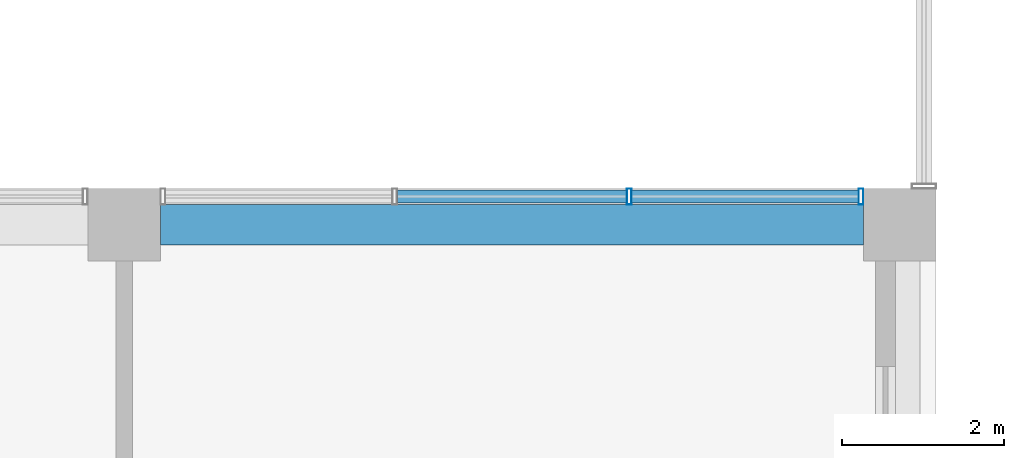
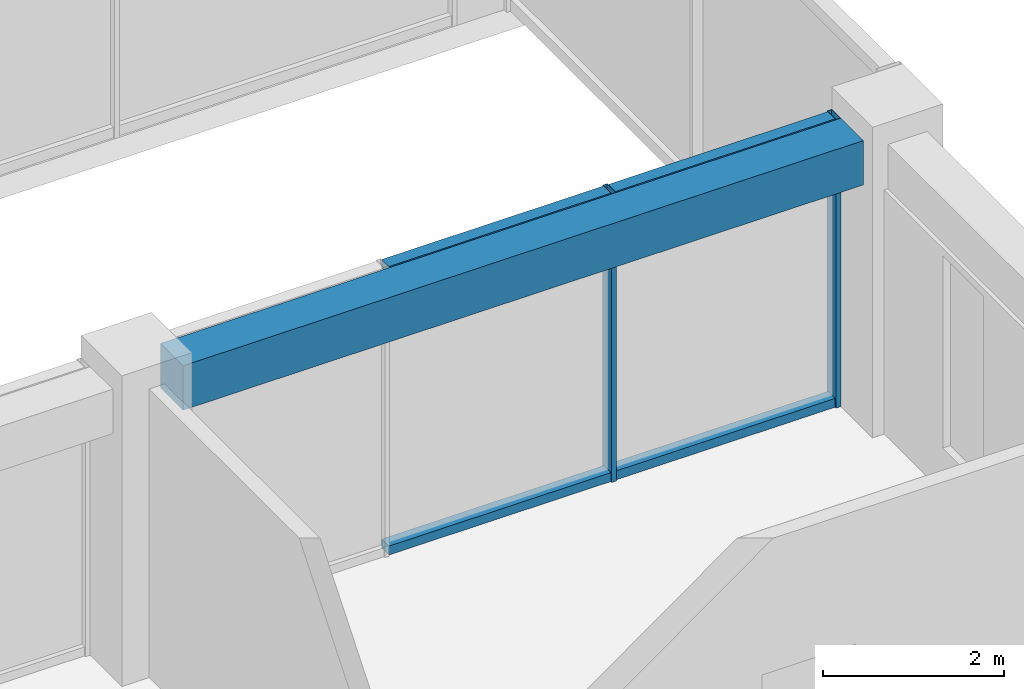
# One storey, part 17 of 37: 6 members, 1 beam, 1 element without a shape of its own.
"""IFC4 building model written with IfcOpenShell, lengths in metres."""

import ifcopenshell
import ifcopenshell.guid

model = None  # the IFC model being written
_history = None  # IfcOwnerHistory: only IFC2X3 demands one
_inside = {}  # id of a spatial element -> (the spatial element, [elements in it])
_under = {}  # id of a project, library or spatial element -> (it, [spatial elements below it])
_declared = {}  # id of a project -> (the project, [libraries it declares])
_typed = {}  # id of a type object -> (the type object, [elements of that type])
_made_of = {}  # id of a material, layer set ... -> (it, [elements and type objects made of it])


def new_model(schema):
    """Start an empty IFC model of exactly this schema.

    Asked for "IFC4X3", IfcOpenShell would pick the latest addendum, in which some entities
    have other attributes; the version numbers below select the first issue.
    IFC2X3 requires an IfcOwnerHistory on every rooted entity: one is made here for all.
    """
    global model, _history
    if schema == "IFC4X3":
        model = ifcopenshell.file(schema_version=(4, 3, 0, 0))
    else:
        model = ifcopenshell.file(schema=schema)
    _inside.clear()
    _under.clear()
    _declared.clear()
    _typed.clear()
    _made_of.clear()
    _history = None
    if model.schema == "IFC2X3":
        org = make("IfcOrganization", Name="unknown")
        user = make(
            "IfcPersonAndOrganization",
            ThePerson=make("IfcPerson", FamilyName="unknown"),
            TheOrganization=org,
        )
        app = make(
            "IfcApplication",
            ApplicationDeveloper=org,
            Version="unknown",
            ApplicationFullName="unknown",
            ApplicationIdentifier="unknown",
        )
        _history = make(
            "IfcOwnerHistory",
            OwningUser=user,
            OwningApplication=app,
            ChangeAction="ADDED",
            CreationDate=0,
        )
    return model


def make(cls, **values):
    """One entity of the class cls with the attributes given. An attribute that is None is left unset."""
    return model.create_entity(
        cls, **{name: value for name, value in values.items() if value is not None}
    )


def rooted(cls, **values):
    """An entity with a GlobalId (a new one), such as an element, a storey or a relation."""
    return make(cls, GlobalId=ifcopenshell.guid.new(), OwnerHistory=_history, **values)


def si_unit(unit_type, name, prefix=None):
    """IfcSIUnit, for example si_unit("LENGTHUNIT", "METRE", prefix="MILLI")."""
    return make("IfcSIUnit", UnitType=unit_type, Prefix=prefix, Name=name)


def assignment(units):
    """IfcUnitAssignment: the units of a project."""
    return None if units is None else make("IfcUnitAssignment", Units=units)


def point(xyz):
    """IfcCartesianPoint."""
    return None if xyz is None else make("IfcCartesianPoint", Coordinates=xyz)


def direction(xyz):
    """IfcDirection."""
    return None if xyz is None else make("IfcDirection", DirectionRatios=xyz)


def frame(location, z_axis=None, x_axis=None):
    """IfcAxis2Placement3D, a coordinate frame: its origin and axes. An axis left out is left unset."""
    return make(
        "IfcAxis2Placement3D",
        Location=point(location),
        Axis=direction(z_axis),
        RefDirection=direction(x_axis),
    )


def frame_2d(location, x_axis=None):
    """IfcAxis2Placement2D, a coordinate frame in the plane: its origin and x axis."""
    return make(
        "IfcAxis2Placement2D", Location=point(location), RefDirection=direction(x_axis)
    )


def origin():
    """The frame at (0, 0, 0) with its axes left unset."""
    return frame((0.0, 0.0, 0.0))


def origin_2d():
    """The frame at (0, 0) in the plane with its x axis left unset."""
    return frame_2d((0.0, 0.0))


def place(relative_to, where):
    """IfcLocalPlacement: puts the frame where relative to a parent placement (None: the world)."""
    return make(
        "IfcLocalPlacement", PlacementRelTo=relative_to, RelativePlacement=where
    )


def context(
    kind, dimensions, precision=None, world=None, true_north=None, identifier=None
):
    """IfcGeometricRepresentationContext, for example the 3D "Model" context."""
    return make(
        "IfcGeometricRepresentationContext",
        ContextIdentifier=identifier,
        ContextType=kind,
        CoordinateSpaceDimension=dimensions,
        Precision=precision,
        WorldCoordinateSystem=world,
        TrueNorth=true_north,
    )


def subcontext(parent, identifier, kind, view, scale=None):
    """IfcGeometricRepresentationSubContext, for example "Body" below "Model"."""
    return make(
        "IfcGeometricRepresentationSubContext",
        ContextIdentifier=identifier,
        ContextType=kind,
        ParentContext=parent,
        TargetScale=scale,
        TargetView=view,
    )


def project(units=None, contexts=None):
    """IfcProject with its units and contexts."""
    return rooted(
        "IfcProject",
        Name="project",
        RepresentationContexts=contexts,
        UnitsInContext=assignment(units),
    )


def spatial(cls, under=None, at=None, **own):
    """A site, building, storey or space (cls), placed at a placement, below another one or the project."""
    s = rooted(cls, ObjectPlacement=at, **own)
    if under is not None:
        _under.setdefault(under.id(), (under, []))[1].append(s)
    return s


def profile(cls, at=None, kind="AREA", **sizes):
    """A parametric profile (cls). Its sizes go by their IFC names, for example OverallWidth=200.0."""
    return make(cls, ProfileType=kind, Position=at, **sizes)


def rectangle(**sizes):
    """IfcRectangleProfileDef."""
    return profile("IfcRectangleProfileDef", **sizes)


def hollow_rectangle(**sizes):
    """IfcRectangleHollowProfileDef."""
    return profile("IfcRectangleHollowProfileDef", **sizes)


def extrude(swept, where, along, depth):
    """IfcExtrudedAreaSolid: the profile swept, set in the frame where, extruded along a direction by depth."""
    return make(
        "IfcExtrudedAreaSolid",
        SweptArea=swept,
        Position=where,
        ExtrudedDirection=direction(along),
        Depth=depth,
    )


def shape(context_of_items, identifier, shape_type, items):
    """IfcShapeRepresentation: the items that make up one representation, for example the "Body"."""
    return make(
        "IfcShapeRepresentation",
        ContextOfItems=context_of_items,
        RepresentationIdentifier=identifier,
        RepresentationType=shape_type,
        Items=items,
    )


def material(Name=None, Category=None):
    """IfcMaterial."""
    return make("IfcMaterial", Name=Name, Category=Category)


def layer(
    of_material, thickness, ventilated=None, Name=None, Category=None, Priority=None
):
    """IfcMaterialLayer: one layer of a wall or slab, of a material (None: an air gap)."""
    return make(
        "IfcMaterialLayer",
        Material=of_material,
        LayerThickness=thickness,
        IsVentilated=ventilated,
        Name=Name,
        Category=Category,
        Priority=Priority,
    )


def layer_set(layers, Name=None):
    """IfcMaterialLayerSet."""
    return make("IfcMaterialLayerSet", MaterialLayers=layers, LayerSetName=Name)


def material_profile(
    of_material, cross_section, Name=None, Category=None, Priority=None
):
    """IfcMaterialProfile: a cross section and its material."""
    return make(
        "IfcMaterialProfile",
        Name=Name,
        Material=of_material,
        Profile=cross_section,
        Priority=Priority,
        Category=Category,
    )


def profile_set(profiles, Name=None, composite=None):
    """IfcMaterialProfileSet."""
    return make(
        "IfcMaterialProfileSet",
        Name=Name,
        MaterialProfiles=profiles,
        CompositeProfile=composite,
    )


def made_of(thing, what):
    """Note that an element or type object is made of a material, layer set ...; save() writes the relation."""
    if what is not None:
        _made_of.setdefault(what.id(), (what, []))[1].append(thing)
    return thing


def type_object(cls, material=None, **own):
    """A type object (cls), such as IfcWallType, which elements share."""
    return made_of(rooted(cls, **own), material)


def element(
    cls,
    number,
    at=None,
    inside=None,
    cuts=None,
    type_object=None,
    material=None,
    context=None,
    identifier="Body",
    shape_type=None,
    held_by="IfcProductDefinitionShape",
    body=None,
    shapes=None,
    **own,
):
    """One element of the class cls, such as IfcWall. Its Tag is "e" and its number.

    at: its placement. inside: the storey or other place that contains it. cuts: it is an
    opening in that element (IfcRelVoidsElement). A single representation is given by context,
    identifier, shape_type and body (its items); several are given by shapes. held_by: the class
    of the entity that holds the representations. save() writes the other relations.
    """
    e = rooted(cls, Tag="e%d" % number, ObjectPlacement=at, **own)
    if body is not None:
        shapes = [shape(context, identifier, shape_type, body)]
    if shapes is not None:
        e.Representation = make(held_by, Representations=shapes)
    if inside is not None:
        _inside.setdefault(inside.id(), (inside, []))[1].append(e)
    if cuts is not None:
        rooted(
            "IfcRelVoidsElement", RelatingBuildingElement=cuts, RelatedOpeningElement=e
        )
    if type_object is not None:
        _typed.setdefault(type_object.id(), (type_object, []))[1].append(e)
    return made_of(e, material)


def aggregate(whole, parts):
    """IfcRelAggregates: a whole, such as a stair, and the parts it consists of."""
    return rooted("IfcRelAggregates", RelatingObject=whole, RelatedObjects=parts)


def save(model, path):
    """Write the relations noted so far, then the file.

    IfcRelAggregates (storeys below a building ...), IfcRelContainedInSpatialStructure (elements
    in a storey), IfcRelDefinesByType, IfcRelAssociatesMaterial and IfcRelDeclares: one each for
    every whole, place, type object, material and project.
    """
    for whole, parts in _under.values():
        aggregate(whole, parts)
    for where, things in _inside.values():
        rooted(
            "IfcRelContainedInSpatialStructure",
            RelatedElements=things,
            RelatingStructure=where,
        )
    for kind, things in _typed.values():
        rooted("IfcRelDefinesByType", RelatedObjects=things, RelatingType=kind)
    for what, things in _made_of.values():
        rooted("IfcRelAssociatesMaterial", RelatedObjects=things, RelatingMaterial=what)
    for by, libraries in _declared.values():
        rooted("IfcRelDeclares", RelatingContext=by, RelatedDefinitions=libraries)
    model.write(path)


model = new_model("IFC4")

# Units and contexts
model_context = context("Model", 3, precision=1e-05, world=origin(), true_north=direction((0.0, 1.0)))
body_context = subcontext(model_context, "Body", "Model", "MODEL_VIEW")
ifc_project = project(units=[si_unit("LENGTHUNIT", "METRE"), si_unit("AREAUNIT", "SQUARE_METRE"), si_unit("VOLUMEUNIT", "CUBIC_METRE"), si_unit("PLANEANGLEUNIT", "RADIAN"), si_unit("MASSUNIT", "GRAM", prefix="KILO")], contexts=[model_context])

# Site, building, storey
site_placement = place(None, origin())
site = spatial("IfcSite", under=ifc_project, at=site_placement, CompositionType="ELEMENT")
building_placement = place(site_placement, origin())
building = spatial("IfcBuilding", under=site, at=building_placement, Name="Nzadi Deep Aquarium and Research Tower", CompositionType="ELEMENT")
storey_placement = place(building_placement, frame((0.0, 0.0, 61.300048828125)))
storey = spatial("IfcBuildingStorey", under=building, at=storey_placement, Name="L12", CompositionType="ELEMENT", Elevation=61.300048828125)

# Curtain wall, members
ifc_material_1 = material(Name="Aluminium unitised frame", Category="aluminium")
ifc_layer = layer(ifc_material_1, 0.199951171875)
ifc_layer_set = layer_set([ifc_layer], Name="Aluminium unitised frame")
curtain_wall_type = type_object("IfcCurtainWallType", Name="Curtain wall Unitised 200", PredefinedType="NOTDEFINED", material=ifc_layer_set)
curtain_wall_placement = place(storey_placement, origin())
curtain_wall = element("IfcCurtainWall", 1, at=curtain_wall_placement, inside=storey, type_object=curtain_wall_type, Name="Unitised curtain wall blade A north L12", PredefinedType="NOTDEFINED")
ifc_material_2 = material(Name="Aluminium unitised frame", Category="aluminium")
ifc_material_profile_1 = material_profile(ifc_material_2, hollow_rectangle(XDim=0.199951171875, YDim=0.06005859375, WallThickness=0.0048828125, at=origin_2d()))
ifc_profile_set_1 = profile_set([ifc_material_profile_1], Name="Aluminium unitised frame")
member_type_1 = type_object("IfcMemberType", Name="Mullion 60x200 Unitised", PredefinedType="MULLION", material=ifc_profile_set_1)
member_1_placement = place(storey_placement, frame((44.64990234375, 18.75, 0.0), z_axis=(0.0, 0.0, 1.0), x_axis=(0.0, 1.0, 0.0)))
member_1 = element("IfcMember", 2, at=member_1_placement, type_object=member_type_1, Name="CW056 mullion 3", PredefinedType="MULLION", context=body_context, shape_type="SweptSolid", body=[
    extrude(hollow_rectangle(XDim=0.199951171875, YDim=0.06005859375, WallThickness=0.0048828125, at=origin_2d()), origin(), (0.0, 0.0, 1.0), 3.89990234375),
])
member_2_placement = place(storey_placement, frame((47.52001953125, 18.75, 0.0), z_axis=(0.0, 0.0, 1.0), x_axis=(0.0, 1.0, 0.0)))
member_2 = element("IfcMember", 3, at=member_2_placement, type_object=member_type_1, Name="CW056 mullion 4", PredefinedType="MULLION", context=body_context, shape_type="SweptSolid", body=[
    extrude(hollow_rectangle(XDim=0.199951171875, YDim=0.06005859375, WallThickness=0.0048828125, at=origin_2d()), origin(), (0.0, 0.0, 1.0), 3.89990234375),
])

# Beam
ifc_material_3 = material(Name="Concrete C35/45", Category="concrete")
ifc_material_profile_2 = material_profile(ifc_material_3, rectangle(XDim=0.5, YDim=0.60009765625, at=origin_2d()))
ifc_profile_set_2 = profile_set([ifc_material_profile_2], Name="Concrete C35/45")
beam_type = type_object("IfcBeamType", Name="RC 500x600", PredefinedType="BEAM", material=ifc_profile_set_2)
beam_placement = place(storey_placement, frame((38.85009765625, 18.39990234375, 3.599853515625), z_axis=(1.0, 0.0, 0.0), x_axis=(0.0, 1.0, 0.0)))
element("IfcBeam", 4, at=beam_placement, inside=storey, type_object=beam_type, Name="B-Z1-L12-L3-5", PredefinedType="BEAM", context=body_context, shape_type="SweptSolid", body=[
    extrude(rectangle(XDim=0.5, YDim=0.60009765625, at=origin_2d()), origin(), (0.0, 0.0, 1.0), 8.699951171875),
])

# Member
ifc_material_4 = material(Name="Aluminium unitised frame", Category="aluminium")
ifc_material_profile_3 = material_profile(ifc_material_4, hollow_rectangle(XDim=0.159912109375, YDim=0.1201171875, WallThickness=0.0048828125, at=origin_2d()))
ifc_profile_set_3 = profile_set([ifc_material_profile_3], Name="Aluminium unitised frame")
member_type_2 = type_object("IfcMemberType", Name="Transom 120x160 Unitised", PredefinedType="MULLION", material=ifc_profile_set_3)
member_3_placement = place(storey_placement, frame((41.780029296875, 18.75, 0.06005859375), z_axis=(1.0, 0.0, 0.0), x_axis=(0.0, 1.0, 0.0)))
member_3 = element("IfcMember", 5, at=member_3_placement, type_object=member_type_2, Name="CW056 transom 2.1", PredefinedType="MULLION", context=body_context, shape_type="SweptSolid", body=[
    extrude(hollow_rectangle(XDim=0.159912109375, YDim=0.1201171875, WallThickness=0.0048828125, at=origin_2d()), origin(), (0.0, 0.0, 1.0), 2.840087890625),
])

member_4_placement = place(storey_placement, frame((41.780029296875, 18.75, 3.83984375), z_axis=(1.0, 0.0, 0.0), x_axis=(0.0, 1.0, 0.0)))
member_4 = element("IfcMember", 6, at=member_4_placement, type_object=member_type_2, Name="CW056 transom 2.2", PredefinedType="MULLION", context=body_context, shape_type="SweptSolid", body=[
    extrude(hollow_rectangle(XDim=0.159912109375, YDim=0.1201171875, WallThickness=0.0048828125, at=origin_2d()), origin(), (0.0, 0.0, 1.0), 2.840087890625),
])

member_5_placement = place(storey_placement, frame((44.679931640625, 18.75, 0.06005859375), z_axis=(1.0, 0.0, 0.0), x_axis=(0.0, 1.0, 0.0)))
member_5 = element("IfcMember", 7, at=member_5_placement, type_object=member_type_2, Name="CW056 transom 3.1", PredefinedType="MULLION", context=body_context, shape_type="SweptSolid", body=[
    extrude(hollow_rectangle(XDim=0.159912109375, YDim=0.1201171875, WallThickness=0.0048828125, at=origin_2d()), origin(), (0.0, 0.0, 1.0), 2.81005859375),
])

member_6_placement = place(storey_placement, frame((44.679931640625, 18.75, 3.83984375), z_axis=(1.0, 0.0, 0.0), x_axis=(0.0, 1.0, 0.0)))
member_6 = element("IfcMember", 8, at=member_6_placement, type_object=member_type_2, Name="CW056 transom 3.2", PredefinedType="MULLION", context=body_context, shape_type="SweptSolid", body=[
    extrude(hollow_rectangle(XDim=0.159912109375, YDim=0.1201171875, WallThickness=0.0048828125, at=origin_2d()), origin(), (0.0, 0.0, 1.0), 2.81005859375),
])

aggregate(curtain_wall, [member_1, member_2, member_3, member_4, member_5, member_6])

save(model, "model.ifc")
